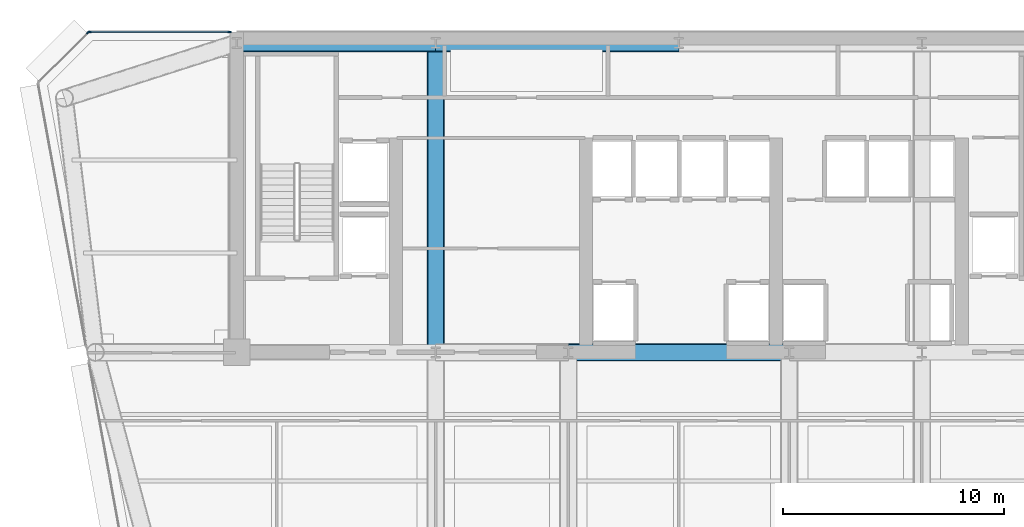
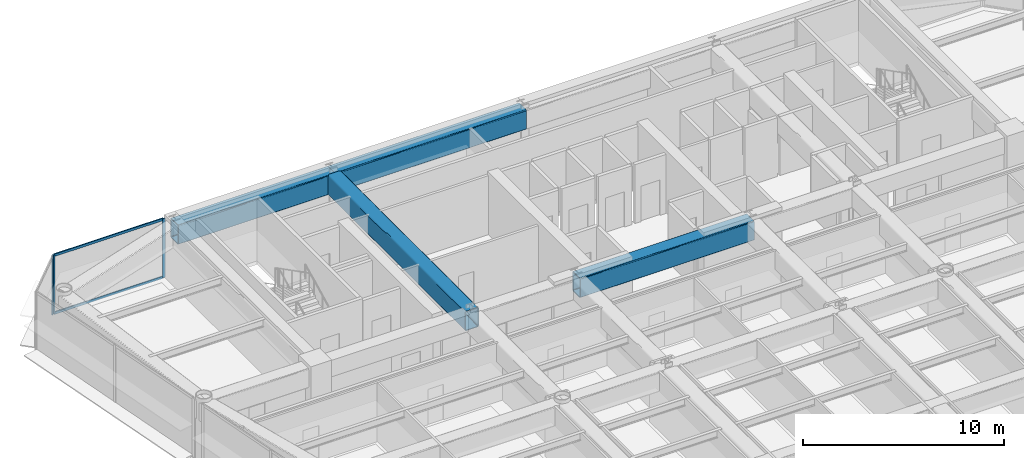
# One storey, part 8 of 17: 5 members, 4 beams, 2 elements without a shape of their own.
"""IFC4 building model written with IfcOpenShell, lengths in metres."""

from ifc_helpers import new_model, si_unit, direction, frame, origin, origin_2d, place, context, subcontext, project, spatial, rectangle, hollow_rectangle, extrude, source, transform, mapped, material, layer, layer_set, material_profile, profile_set, type_object, element, aggregate, save


model = new_model("IFC4")

# Units and contexts
model_context = context("Model", 3, precision=1e-05, world=origin(), true_north=direction((0.0, 1.0)))
body_context = subcontext(model_context, "Body", "Model", "MODEL_VIEW")
ifc_project = project(units=[si_unit("LENGTHUNIT", "METRE"), si_unit("AREAUNIT", "SQUARE_METRE"), si_unit("VOLUMEUNIT", "CUBIC_METRE"), si_unit("PLANEANGLEUNIT", "RADIAN"), si_unit("MASSUNIT", "GRAM", prefix="KILO")], contexts=[model_context])

# Site, building, storey
site_placement = place(None, origin())
site = spatial("IfcSite", under=ifc_project, at=site_placement, CompositionType="ELEMENT")
building_placement = place(site_placement, origin())
building = spatial("IfcBuilding", under=site, at=building_placement, Name="Vaeldorn Concourse Tower", CompositionType="ELEMENT")
storey_placement = place(building_placement, frame((0.0, 0.0, 176.60009765625)))
storey = spatial("IfcBuildingStorey", under=building, at=storey_placement, Name="L45", CompositionType="ELEMENT", Elevation=176.60009765625)

# Beams
ifc_material_1 = material(Name="Steel S460", Category="steel")
ifc_material_profile_1 = material_profile(ifc_material_1, hollow_rectangle(XDim=0.800048828125, YDim=1.199951171875, WallThickness=0.044921875, InnerFilletRadius=0.044921875, OuterFilletRadius=0.090087890625, at=origin_2d()), Name="RHS 1200x800x45")
ifc_profile_set_1 = profile_set([ifc_material_profile_1], Name="Steel S460")
beam_type = type_object("IfcBeamType", Name="BM-TG-RHS1200", PredefinedType="BEAM", material=ifc_profile_set_1)
shared_shape_1 = source(origin(), body_context, "Body", "SweptSolid", [
    extrude(hollow_rectangle(XDim=0.800048828125, YDim=1.199951171875, WallThickness=0.044921875, InnerFilletRadius=0.044921875, OuterFilletRadius=0.090087890625, at=origin_2d()), origin(), (0.0, 0.0, 1.0), 10.0),
])
beam_1_placement = place(storey_placement, frame((29.0, 36.5, 2.97998046875), z_axis=(1.0, 0.0, 0.0), x_axis=(0.0, 1.0, 0.0)))
element("IfcBeam", 1, at=beam_1_placement, inside=storey, type_object=beam_type, Name="Beam BM-L45-C-FC3-C-FC4", PredefinedType="BEAM", context=body_context, shape_type="MappedRepresentation", body=[
    mapped(shared_shape_1, transform((0.0, 0.0, 0.0), scale=1.0)),
])
shared_shape_2 = source(origin(), body_context, "Body", "SweptSolid", [
    extrude(hollow_rectangle(XDim=0.800048828125, YDim=1.199951171875, WallThickness=0.044921875, InnerFilletRadius=0.044921875, OuterFilletRadius=0.090087890625, at=origin_2d()), origin(), (0.0, 0.0, 1.0), 9.0),
])
beam_2_placement = place(storey_placement, frame((14.0, 50.5, 2.97998046875), z_axis=(1.0, 0.0, 0.0), x_axis=(0.0, 1.0, 0.0)))
element("IfcBeam", 2, at=beam_2_placement, inside=storey, type_object=beam_type, Name="Beam BM-L45-C-HC1-C-HC2", PredefinedType="BEAM", context=body_context, shape_type="MappedRepresentation", body=[
    mapped(shared_shape_2, transform((0.0, 0.0, 0.0), scale=1.0)),
])
shared_shape_3 = source(origin(), body_context, "Body", "SweptSolid", [
    extrude(hollow_rectangle(XDim=0.800048828125, YDim=1.199951171875, WallThickness=0.044921875, InnerFilletRadius=0.044921875, OuterFilletRadius=0.090087890625, at=origin_2d()), origin(), (0.0, 0.0, 1.0), 11.0),
])
beam_3_placement = place(storey_placement, frame((23.0, 50.5, 2.97998046875), z_axis=(1.0, 0.0, 0.0), x_axis=(0.0, 1.0, 0.0)))
element("IfcBeam", 3, at=beam_3_placement, inside=storey, type_object=beam_type, Name="Beam BM-L45-C-HC2-C-HC3", PredefinedType="BEAM", context=body_context, shape_type="MappedRepresentation", body=[
    mapped(shared_shape_3, transform((0.0, 0.0, 0.0), scale=1.0)),
])
shared_shape_4 = source(origin(), body_context, "Body", "SweptSolid", [
    extrude(hollow_rectangle(XDim=0.800048828125, YDim=1.199951171875, WallThickness=0.044921875, InnerFilletRadius=0.044921875, OuterFilletRadius=0.090087890625, at=origin_2d()), origin(), (0.0, 0.0, 1.0), 14.0),
])
beam_4_placement = place(storey_placement, frame((23.0, 36.5, 2.97998046875), z_axis=(0.0, 1.0, 0.0), x_axis=(-1.0, 0.0, 0.0)))
element("IfcBeam", 4, at=beam_4_placement, inside=storey, type_object=beam_type, Name="Beam BM-L45-C-FC2-C-HC2", PredefinedType="BEAM", context=body_context, shape_type="MappedRepresentation", body=[
    mapped(shared_shape_4, transform((0.0, 0.0, 0.0), scale=1.0)),
])

# Curtain wall, members
ifc_material_2 = material(Name="Anodised Bronze Aluminium", Category="aluminium")
ifc_layer = layer(ifc_material_2, 0.18994140625)
ifc_layer_set = layer_set([ifc_layer], Name="Anodised Bronze Aluminium")
curtain_wall_type = type_object("IfcCurtainWallType", Name="CW-SYS-03", PredefinedType="NOTDEFINED", material=ifc_layer_set)
curtain_wall_1_placement = place(storey_placement, origin())
curtain_wall_1 = element("IfcCurtainWall", 5, at=curtain_wall_1_placement, inside=storey, type_object=curtain_wall_type, Name="Unitised Curtain Wall CW-L45-E09-2", PredefinedType="NOTDEFINED")
ifc_material_profile_2 = material_profile(ifc_material_2, rectangle(XDim=0.06494140625, YDim=0.169921875, at=origin_2d()), Name="CWM 65x170")
ifc_profile_set_2 = profile_set([ifc_material_profile_2], Name="Anodised Bronze Aluminium")
member_type_1 = type_object("IfcMemberType", Name="CWM-BRONZE-170", PredefinedType="MULLION", material=ifc_profile_set_2)
shared_shape_5 = source(origin(), body_context, "Body", "SweptSolid", [
    extrude(rectangle(XDim=0.06494140625, YDim=0.169921875, at=origin_2d()), origin(), (0.0, 0.0, 1.0), 3.579833984375),
])
member_1_placement = place(storey_placement, frame((13.672607421875, 51.0, 0.0), z_axis=(0.0, 0.0, 1.0), x_axis=(0.0, -1.0, 0.0)))
member_1 = element("IfcMember", 6, at=member_1_placement, type_object=member_type_1, Name="CW-03 mullion 1", PredefinedType="MULLION", context=body_context, shape_type="MappedRepresentation", body=[
    mapped(shared_shape_5, transform((0.0, 0.0, 0.0), scale=1.0)),
])
member_2_placement = place(storey_placement, frame((7.33251953125, 51.0, 0.0), z_axis=(0.0, 0.0, 1.0), x_axis=(0.0, -1.0, 0.0)))
member_2 = element("IfcMember", 7, at=member_2_placement, type_object=member_type_1, Name="CW-03 mullion 2", PredefinedType="MULLION", context=body_context, shape_type="MappedRepresentation", body=[
    mapped(shared_shape_5, transform((0.0, 0.0, 0.0), scale=1.0)),
])

# Curtain wall, member
curtain_wall_2_placement = place(storey_placement, origin())
curtain_wall_2 = element("IfcCurtainWall", 8, at=curtain_wall_2_placement, inside=storey, type_object=curtain_wall_type, Name="Unitised Curtain Wall CW-L45-E10-1", PredefinedType="NOTDEFINED")
member_3_placement = place(storey_placement, frame((7.277099609375, 50.97705078125, 0.0), z_axis=(0.0, 0.0, 1.0), x_axis=(0.707106781187, -0.707106781187, 0.0)))
member_3 = element("IfcMember", 9, at=member_3_placement, type_object=member_type_1, Name="CW-03 mullion 1", PredefinedType="MULLION", context=body_context, shape_type="MappedRepresentation", body=[
    mapped(shared_shape_5, transform((0.0, 0.0, 0.0), scale=1.0)),
])
aggregate(curtain_wall_2, [member_3])

# Member
ifc_material_profile_3 = material_profile(ifc_material_2, rectangle(XDim=0.06494140625, YDim=0.14990234375, at=origin_2d()), Name="CWT 65x150")
ifc_profile_set_3 = profile_set([ifc_material_profile_3], Name="Anodised Bronze Aluminium")
member_type_2 = type_object("IfcMemberType", Name="CWT-BRONZE-150", PredefinedType="USERDEFINED", material=ifc_profile_set_3)
shared_shape_6 = source(origin(), body_context, "Body", "SweptSolid", [
    extrude(rectangle(XDim=0.06494140625, YDim=0.14990234375, at=origin_2d()), origin(), (0.0, 0.0, 1.0), 6.27490234375),
])
member_4_placement = place(storey_placement, frame((13.639892578125, 51.0, 0.032470703125), z_axis=(-1.0, 0.0, 0.0), x_axis=(0.0, -1.0, 0.0)))
member_4 = element("IfcMember", 10, at=member_4_placement, type_object=member_type_2, Name="CW-03 transom 1.1", ObjectType="TRANSOM", PredefinedType="USERDEFINED", context=body_context, shape_type="MappedRepresentation", body=[
    mapped(shared_shape_6, transform((0.0, 0.0, 0.0), scale=1.0)),
])

member_5_placement = place(storey_placement, frame((13.639892578125, 51.0, 3.54736328125), z_axis=(-1.0, 0.0, 0.0), x_axis=(0.0, -1.0, 0.0)))
member_5 = element("IfcMember", 11, at=member_5_placement, type_object=member_type_2, Name="CW-03 transom 1.2", ObjectType="TRANSOM", PredefinedType="USERDEFINED", context=body_context, shape_type="MappedRepresentation", body=[
    mapped(shared_shape_6, transform((0.0, 0.0, 0.0), scale=1.0)),
])

aggregate(curtain_wall_1, [member_1, member_2, member_4, member_5])

save(model, "model.ifc")
